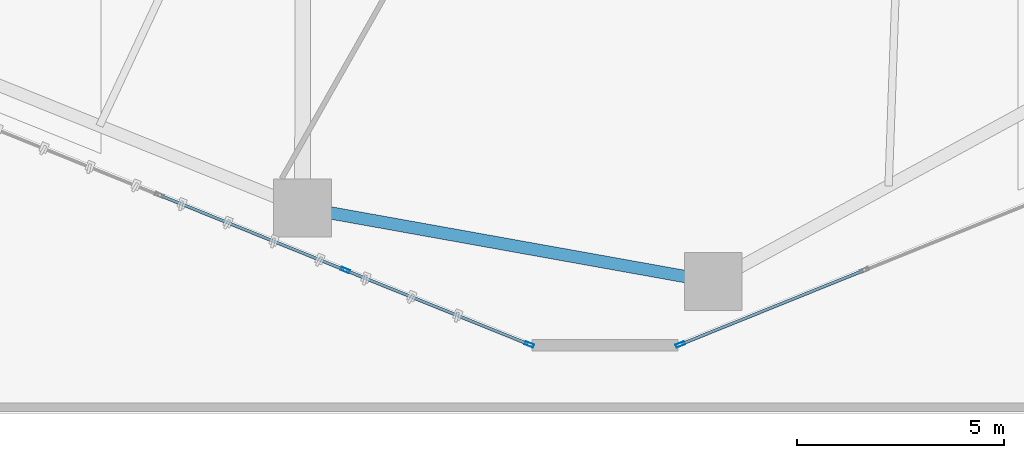
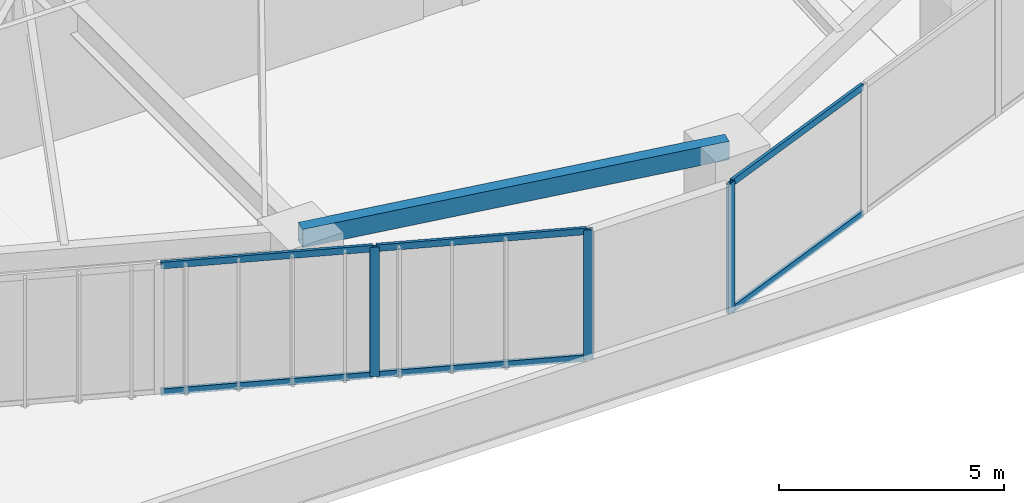
# One storey, part 4 of 23: 9 members, 1 beam, 2 elements without a shape of their own.
"""IFC4 building model written with IfcOpenShell, lengths in metres."""

from ifc_helpers import new_model, si_unit, direction, frame, origin, origin_2d, place, context, subcontext, project, spatial, hollow_rectangle, extrude, source, transform, mapped, material, layer, layer_set, material_profile, profile_set, type_object, type_shapes, element, aggregate, save


model = new_model("IFC4")

# Units and contexts
model_context = context("Model", 3, precision=1e-05, world=origin(), true_north=direction((0.0, 1.0)))
body_context = subcontext(model_context, "Body", "Model", "MODEL_VIEW")
ifc_project = project(units=[si_unit("LENGTHUNIT", "METRE"), si_unit("AREAUNIT", "SQUARE_METRE"), si_unit("VOLUMEUNIT", "CUBIC_METRE"), si_unit("PLANEANGLEUNIT", "RADIAN"), si_unit("MASSUNIT", "GRAM", prefix="KILO")], contexts=[model_context])

# Site, building, storey
site_placement = place(None, origin())
site = spatial("IfcSite", under=ifc_project, at=site_placement, CompositionType="ELEMENT")
building_placement = place(site_placement, origin())
building = spatial("IfcBuilding", under=site, at=building_placement, Name="Talar Marvaseh", CompositionType="ELEMENT")
storey_placement = place(building_placement, frame((0.0, 0.0, 24.0)))
storey = spatial("IfcBuildingStorey", under=building, at=storey_placement, Name="L05", CompositionType="ELEMENT", Elevation=24.0)

# Beam
ifc_material_1 = material(Name="Steel S355", Category="steel")
ifc_material_profile_1 = material_profile(ifc_material_1, hollow_rectangle(XDim=0.300048828125, YDim=0.5, WallThickness=0.02001953125, at=origin_2d()), Name="RHS500x300x20")
ifc_profile_set_1 = profile_set([ifc_material_profile_1], Name="Steel S355")
beam_type = type_object("IfcBeamType", Name="Zone 1 Perimeter Spandrel Beam RHS500x300x20", PredefinedType="SPANDREL", material=ifc_profile_set_1)
beam_placement = place(storey_placement, frame((28.625, 11.195068359375, 3.27001953125), z_axis=(-0.984279934962, 0.176615428632, 0.0), x_axis=(-0.176615428632, -0.984279934962, 0.0)))
element("IfcBeam", 1, at=beam_placement, inside=storey, type_object=beam_type, Name="L05 Zone 1 Perimeter Spandrel Beam RHS500x300x20", PredefinedType="SPANDREL", context=body_context, shape_type="SweptSolid", body=[
    extrude(hollow_rectangle(XDim=0.300048828125, YDim=0.5, WallThickness=0.02001953125, at=origin_2d()), origin(), (0.0, 0.0, 1.0), 10.1005859375),
])

# Curtain wall, member
ifc_material_2 = material(Name="Architectural Aluminium", Category="aluminium")
ifc_layer = layer(ifc_material_2, 0.219970703125)
ifc_layer_set = layer_set([ifc_layer], Name="Architectural Aluminium")
curtain_wall_type = type_object("IfcCurtainWallType", Name="Unitised Low-E Museum Curtain Wall Z1", PredefinedType="NOTDEFINED", material=ifc_layer_set)
curtain_wall_1_placement = place(storey_placement, origin())
curtain_wall_1 = element("IfcCurtainWall", 2, at=curtain_wall_1_placement, inside=storey, type_object=curtain_wall_type, Name="L05 Unitised Low-E Museum Curtain Wall Z1", PredefinedType="NOTDEFINED")
ifc_material_profile_2 = material_profile(ifc_material_2, hollow_rectangle(XDim=0.080078125, YDim=0.219970703125, WallThickness=0.0048828125, at=origin_2d()), Name="RHS220x80x5")
ifc_profile_set_2 = profile_set([ifc_material_profile_2], Name="Architectural Aluminium")
member_type_1 = type_object("IfcMemberType", Name="Unitised Curtain Wall Heavy Mullion RHS220x80x5", PredefinedType="MULLION", material=ifc_profile_set_2)
shared_shape_1 = source(origin(), body_context, "Body", "SweptSolid", [
    extrude(hollow_rectangle(XDim=0.080078125, YDim=0.219970703125, WallThickness=0.0048828125, at=origin_2d()), origin(), (0.0, 0.0, 1.0), 3.52001953125),
])
type_shapes(member_type_1, [shared_shape_1])
member_1_placement = place(storey_placement, frame((27.82763671875, 9.67333984375, 0.0), z_axis=(0.0, 0.0, 1.0), x_axis=(0.374463049598, -0.927241837109, 0.0)))
member_1 = element("IfcMember", 3, at=member_1_placement, type_object=member_type_1, Name="CW-Z1 mullion 6", PredefinedType="MULLION", context=body_context, shape_type="MappedRepresentation", body=[
    mapped(shared_shape_1, transform((0.0, 0.0, 0.0), x_axis=(1.0, 0.0, 0.0), y_axis=(0.0, 1.0, 0.0), z_axis=(0.0, 0.0, 1.0), scale=1.0)),
])

# Curtain wall, members
curtain_wall_2_placement = place(storey_placement, origin())
curtain_wall_2 = element("IfcCurtainWall", 4, at=curtain_wall_2_placement, inside=storey, type_object=curtain_wall_type, Name="L05 Unitised Low-E Museum Curtain Wall Z1", PredefinedType="NOTDEFINED")
member_2_placement = place(storey_placement, frame((24.17236328125, 9.67333984375, 0.0), z_axis=(0.0, 0.0, 1.0), x_axis=(-0.374463049598, -0.927241837109, 0.0)))
member_2 = element("IfcMember", 5, at=member_2_placement, type_object=member_type_1, Name="CW-Z1 mullion 1", PredefinedType="MULLION", context=body_context, shape_type="MappedRepresentation", body=[
    mapped(shared_shape_1, transform((0.0, 0.0, 0.0), x_axis=(1.0, 0.0, 0.0), y_axis=(0.0, 1.0, 0.0), z_axis=(0.0, 0.0, 1.0), scale=1.0)),
])
member_3_placement = place(storey_placement, frame((19.716796875, 11.472900390625, 0.0), z_axis=(0.0, 0.0, 1.0), x_axis=(-0.374463049598, -0.927241837109, 0.0)))
member_3 = element("IfcMember", 6, at=member_3_placement, type_object=member_type_1, Name="CW-Z1 mullion 2", PredefinedType="MULLION", context=body_context, shape_type="MappedRepresentation", body=[
    mapped(shared_shape_1, transform((0.0, 0.0, 0.0), x_axis=(1.0, 0.0, 0.0), y_axis=(0.0, 1.0, 0.0), z_axis=(0.0, 0.0, 1.0), scale=1.0)),
])
ifc_material_profile_3 = material_profile(ifc_material_2, hollow_rectangle(XDim=0.074951171875, YDim=0.179931640625, WallThickness=0.0048828125, at=origin_2d()), Name="RHS180x75x5")
ifc_profile_set_3 = profile_set([ifc_material_profile_3], Name="Architectural Aluminium")
member_type_2 = type_object("IfcMemberType", Name="Unitised Curtain Wall Transom RHS180x75x5", PredefinedType="USERDEFINED", material=ifc_profile_set_3)
shared_shape_2 = source(origin(), body_context, "Body", "SweptSolid", [
    extrude(hollow_rectangle(XDim=0.074951171875, YDim=0.179931640625, WallThickness=0.0048828125, at=origin_2d()), origin(), (0.0, 0.0, 1.0), 4.765380859375),
])
member_4_placement = place(storey_placement, frame((19.6796875, 11.48779296875, 0.03759765625), z_axis=(-0.927245600038, 0.374453731735, 0.0), x_axis=(-0.374453731735, -0.927245600038, 0.0)))
member_4 = element("IfcMember", 7, at=member_4_placement, type_object=member_type_2, Name="CW-Z1 transom 2.1", ObjectType="TRANSOM", PredefinedType="USERDEFINED", context=body_context, shape_type="MappedRepresentation", body=[
    mapped(shared_shape_2, transform((0.0, 0.0, 0.0), x_axis=(1.0, 0.0, 0.0), y_axis=(0.0, 1.0, 0.0), z_axis=(0.0, 0.0, 1.0), scale=1.0)),
])
member_5_placement = place(storey_placement, frame((19.6796875, 11.48779296875, 3.482421875), z_axis=(-0.927245600038, 0.374453731735, 0.0), x_axis=(-0.374453731735, -0.927245600038, 0.0)))
member_5 = element("IfcMember", 8, at=member_5_placement, type_object=member_type_2, Name="CW-Z1 transom 2.2", ObjectType="TRANSOM", PredefinedType="USERDEFINED", context=body_context, shape_type="MappedRepresentation", body=[
    mapped(shared_shape_2, transform((0.0, 0.0, 0.0), x_axis=(1.0, 0.0, 0.0), y_axis=(0.0, 1.0, 0.0), z_axis=(0.0, 0.0, 1.0), scale=1.0)),
])

# Member
shared_shape_3 = source(origin(), body_context, "Body", "SweptSolid", [
    extrude(hollow_rectangle(XDim=0.074951171875, YDim=0.179931640625, WallThickness=0.0048828125, at=origin_2d()), origin(), (0.0, 0.0, 1.0), 4.72509765625),
])
type_shapes(member_type_2, [shared_shape_2, shared_shape_3])
member_6_placement = place(storey_placement, frame((32.24609375, 11.457763671875, 0.03759765625), z_axis=(-0.927249427065, -0.374444254873, 0.0), x_axis=(0.374444254873, -0.927249427065, 0.0)))
member_6 = element("IfcMember", 9, at=member_6_placement, type_object=member_type_2, Name="CW-Z1 transom 5.1", ObjectType="TRANSOM", PredefinedType="USERDEFINED", context=body_context, shape_type="MappedRepresentation", body=[
    mapped(shared_shape_3, transform((0.0, 0.0, 0.0), x_axis=(1.0, 0.0, 0.0), y_axis=(0.0, 1.0, 0.0), z_axis=(0.0, 0.0, 1.0), scale=1.0)),
])

member_7_placement = place(storey_placement, frame((32.24609375, 11.457763671875, 3.482421875), z_axis=(-0.927249427065, -0.374444254873, 0.0), x_axis=(0.374444254873, -0.927249427065, 0.0)))
member_7 = element("IfcMember", 10, at=member_7_placement, type_object=member_type_2, Name="CW-Z1 transom 5.2", ObjectType="TRANSOM", PredefinedType="USERDEFINED", context=body_context, shape_type="MappedRepresentation", body=[
    mapped(shared_shape_3, transform((0.0, 0.0, 0.0), x_axis=(1.0, 0.0, 0.0), y_axis=(0.0, 1.0, 0.0), z_axis=(0.0, 0.0, 1.0), scale=1.0)),
])

aggregate(curtain_wall_1, [member_1, member_6, member_7])

member_8_placement = place(storey_placement, frame((24.13525390625, 9.6884765625, 0.03759765625), z_axis=(-0.927249427065, 0.374444254873, 0.0), x_axis=(-0.374444254873, -0.927249427065, 0.0)))
member_8 = element("IfcMember", 11, at=member_8_placement, type_object=member_type_2, Name="CW-Z1 transom 1.1", ObjectType="TRANSOM", PredefinedType="USERDEFINED", context=body_context, shape_type="MappedRepresentation", body=[
    mapped(shared_shape_3, transform((0.0, 0.0, 0.0), x_axis=(1.0, 0.0, 0.0), y_axis=(0.0, 1.0, 0.0), z_axis=(0.0, 0.0, 1.0), scale=1.0)),
])

member_9_placement = place(storey_placement, frame((24.13525390625, 9.6884765625, 3.482421875), z_axis=(-0.927249427065, 0.374444254873, 0.0), x_axis=(-0.374444254873, -0.927249427065, 0.0)))
member_9 = element("IfcMember", 12, at=member_9_placement, type_object=member_type_2, Name="CW-Z1 transom 1.2", ObjectType="TRANSOM", PredefinedType="USERDEFINED", context=body_context, shape_type="MappedRepresentation", body=[
    mapped(shared_shape_3, transform((0.0, 0.0, 0.0), x_axis=(1.0, 0.0, 0.0), y_axis=(0.0, 1.0, 0.0), z_axis=(0.0, 0.0, 1.0), scale=1.0)),
])

aggregate(curtain_wall_2, [member_2, member_3, member_8, member_9, member_4, member_5])

save(model, "model.ifc")
